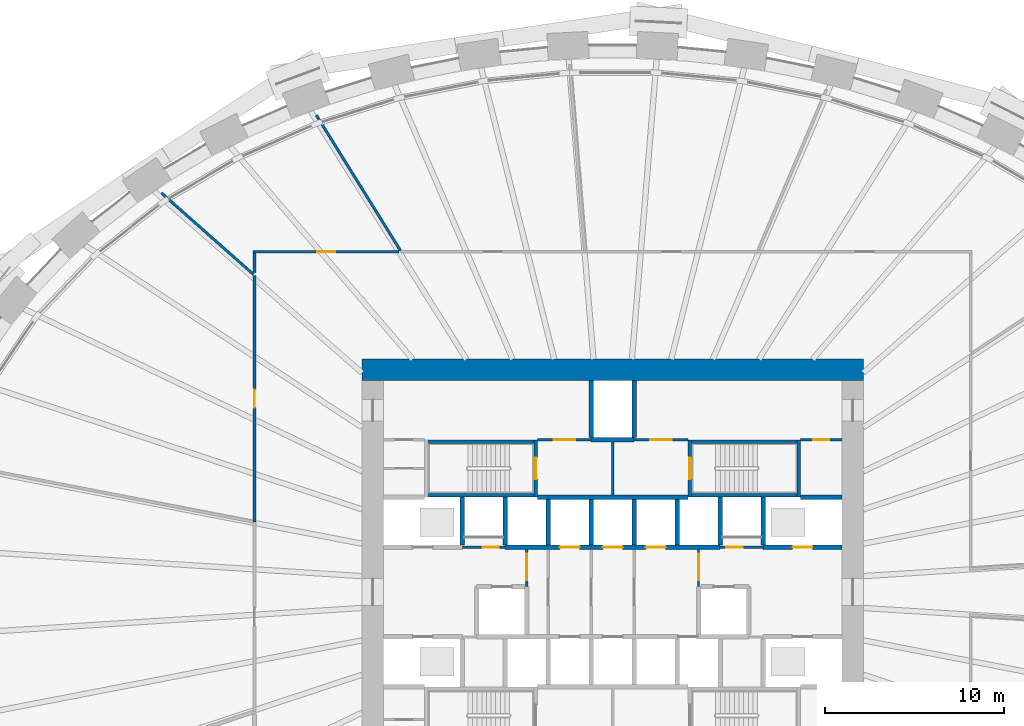
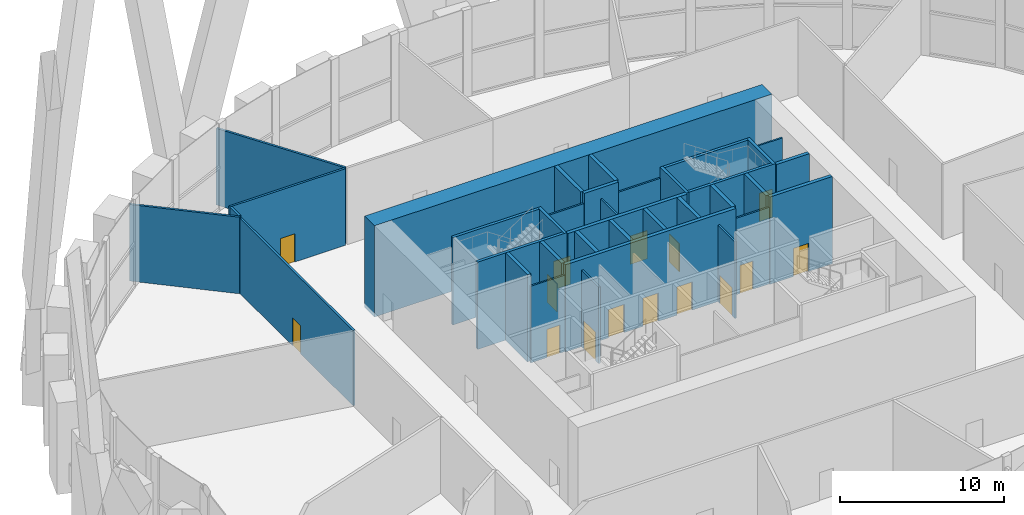
# One storey, part 11 of 17: 36 walls, 15 doors, 15 openings.
"""IFC4 building model written with IfcOpenShell, lengths in metres."""

from ifc_helpers import new_model, si_unit, direction, frame, frame_2d, origin, place, context, subcontext, project, spatial, rectangle, extrude, source, transform, mapped, material, layer, layer_set, type_object, element, fill, save


model = new_model("IFC4")

# Units and contexts
model_context = context("Model", 3, precision=1e-05, world=origin(), true_north=direction((0.0, 1.0)))
body_context = subcontext(model_context, "Body", "Model", "MODEL_VIEW")
ifc_project = project(units=[si_unit("LENGTHUNIT", "METRE"), si_unit("AREAUNIT", "SQUARE_METRE"), si_unit("VOLUMEUNIT", "CUBIC_METRE"), si_unit("PLANEANGLEUNIT", "RADIAN"), si_unit("MASSUNIT", "GRAM", prefix="KILO")], contexts=[model_context])

# Site, building, storey
site_placement = place(None, origin())
site = spatial("IfcSite", under=ifc_project, at=site_placement, CompositionType="ELEMENT")
building_placement = place(site_placement, origin())
building = spatial("IfcBuilding", under=site, at=building_placement, Name="Embergate Tower", CompositionType="ELEMENT")
storey_placement = place(building_placement, frame((0.0, 0.0, 125.0)))
storey = spatial("IfcBuildingStorey", under=building, at=storey_placement, Name="L27", CompositionType="ELEMENT", Elevation=125.0)

# Walls
ifc_material_1 = material(Name="Concrete C80", Category="concrete")
ifc_layer_1 = layer(ifc_material_1, 1.199951171875)
ifc_layer_set_1 = layer_set([ifc_layer_1], Name="Concrete C80")
wall_type_1 = type_object("IfcWallType", Name="Core outer wall C80 1200", PredefinedType="SHEAR", material=ifc_layer_set_1)
shared_shape_1 = source(origin(), body_context, "Body", "SweptSolid", [
    extrude(rectangle(XDim=28.0, YDim=1.199951171875, at=frame_2d((14.0, 0.0))), origin(), (0.0, 0.0, 1.0), 6.800048828125),
])
wall_1_placement = place(storey_placement, frame((-14.0, 12.39990234375, -0.300048828125), z_axis=(0.0, 0.0, 1.0), x_axis=(1.0, 0.0, 0.0)))
element("IfcWall", 1, at=wall_1_placement, inside=storey, type_object=wall_type_1, Name="CW-L27-N", PredefinedType="SHEAR", context=body_context, shape_type="MappedRepresentation", body=[
    mapped(shared_shape_1, transform((0.0, 0.0, 0.0))),
])
ifc_material_2 = material(Name="Concrete C50", Category="concrete")
ifc_layer_2 = layer(ifc_material_2, 0.25)
ifc_layer_set_2 = layer_set([ifc_layer_2], Name="Concrete C50")
wall_type_2 = type_object("IfcWallType", Name="Hoistway wall reinforced concrete 250", PredefinedType="SHEAR", material=ifc_layer_set_2)
shared_shape_2 = source(origin(), body_context, "Body", "SweptSolid", [
    extrude(rectangle(XDim=2.675048828125, YDim=0.25, at=frame_2d((1.33740234375, 0.0))), origin(), (0.0, 0.0, 1.0), 6.5),
])
for number, where, z_axis, x_axis, name in (
    (2, (-8.39990234375, 2.625, 0.0), (0.0, 0.0, 1.0), (0.0, 1.0, 0.0), "HW-1 wall"),
    (3, (-6.0, 2.625, 0.0), (0.0, 0.0, 1.0), (0.0, 1.0, 0.0), "HW-1 wall"),
    (4, (6.0, 2.625, 0.0), (0.0, 0.0, 1.0), (0.0, 1.0, 0.0), "HW-1 wall"),
    (5, (8.39990234375, 2.625, 0.0), (0.0, 0.0, 1.0), (0.0, 1.0, 0.0), "HW-1 wall"),
):
    element("IfcWall", number, at=place(storey_placement, frame(where, z_axis=z_axis, x_axis=x_axis)), inside=storey, type_object=wall_type_2, Name=name, PredefinedType="SHEAR", context=body_context, shape_type="MappedRepresentation", body=[
        mapped(shared_shape_2, transform((0.0, 0.0, 0.0))),
    ])

# Wall, opening, door
shared_shape_3 = source(origin(), body_context, "Body", "SweptSolid", [
    extrude(rectangle(XDim=4.400146484375, YDim=0.25, at=frame_2d((2.2001953125, 0.0))), origin(), (0.0, 0.0, 1.0), 6.5),
])
wall_2_placement = place(storey_placement, frame((8.39990234375, 2.5, 0.0), z_axis=(0.0, 0.0, 1.0), x_axis=(1.0, 0.0, 0.0)))
wall_2 = element("IfcWall", 6, at=wall_2_placement, inside=storey, type_object=wall_type_2, Name="HW-1 wall", PredefinedType="SHEAR", context=body_context, shape_type="MappedRepresentation", body=[
    mapped(shared_shape_3, transform((0.0, 0.0, 0.0))),
])
shared_shape_4 = source(origin(), body_context, "Body", "SweptSolid", [
    extrude(rectangle(XDim=1.10009765625, YDim=2.10009765625, at=frame_2d((0.550048828125, 1.050048828125))), frame((0.0, 0.135009765625, 0.0), z_axis=(0.0, -1.0, 0.0), x_axis=(1.0, 0.0, 0.0)), (0.0, 0.0, 1.0), 0.27001953125),
])
opening_1_placement = place(wall_2_placement, frame((1.64990234375, 0.0, 0.0)))
opening_1 = element("IfcOpeningElement", 7, at=opening_1_placement, cuts=wall_2, Name="Opening LD", PredefinedType="OPENING", context=body_context, shape_type="MappedRepresentation", body=[
    mapped(shared_shape_4, transform((0.0, 0.0, 0.0))),
])
ifc_material_3 = material(Name="Landing door sliding 1100")
door_type_1 = type_object("IfcDoorType", Name="Landing door sliding 1100", OperationType="SLIDING_TO_LEFT", PredefinedType="DOOR", material=ifc_material_3)
shared_shape_5 = source(origin(), body_context, "Body", "SweptSolid", [
    extrude(rectangle(XDim=1.10009765625, YDim=2.10009765625, at=frame_2d((0.550048828125, 1.050048828125))), frame((0.0, 0.02490234375, 0.0), z_axis=(0.0, -1.0, 0.0), x_axis=(1.0, 0.0, 0.0)), (0.0, 0.0, 1.0), 0.050048828125),
])
door_1_placement = place(opening_1_placement, origin())
door_1 = element("IfcDoor", 8, at=door_1_placement, inside=storey, type_object=door_type_1, Name="LD door", OperationType="SLIDING_TO_LEFT", OverallHeight=2.10009765625, OverallWidth=1.10009765625, PredefinedType="DOOR", context=body_context, shape_type="MappedRepresentation", body=[
    mapped(shared_shape_5, transform((0.0, 0.0, 0.0))),
])
fill(opening_1, door_1)

# Walls
ifc_layer_3 = layer(ifc_material_2, 0.199951171875)
ifc_layer_set_3 = layer_set([ifc_layer_3], Name="Concrete C50")
wall_type_3 = type_object("IfcWallType", Name="Stair enclosure wall reinforced concrete 250", PredefinedType="SHEAR", material=ifc_layer_set_3)
shared_shape_6 = source(origin(), body_context, "Body", "SweptSolid", [
    extrude(rectangle(XDim=6.300048828125, YDim=0.199951171875, at=frame_2d((3.14990234375, 0.0))), origin(), (0.0, 0.0, 1.0), 6.5),
])
for number, where, z_axis, x_axis, name in (
    (9, (-4.199951171875, 5.39990234375, 0.0), (0.0, 0.0, 1.0), (-1.0, 0.0, 0.0), "SE-1 wall"),
    (10, (10.5, 5.39990234375, 0.0), (0.0, 0.0, 1.0), (-1.0, 0.0, 0.0), "SE-1 wall"),
    (11, (-4.199951171875, 8.39990234375, 0.0), (0.0, 0.0, 1.0), (-1.0, 0.0, 0.0), "SE-1 wall"),
    (12, (10.5, 8.39990234375, 0.0), (0.0, 0.0, 1.0), (-1.0, 0.0, 0.0), "SE-1 wall"),
):
    element("IfcWall", number, at=place(storey_placement, frame(where, z_axis=z_axis, x_axis=x_axis)), inside=storey, type_object=wall_type_3, Name=name, PredefinedType="SHEAR", context=body_context, shape_type="MappedRepresentation", body=[
        mapped(shared_shape_6, transform((0.0, 0.0, 0.0))),
    ])
shared_shape_7 = source(origin(), body_context, "Body", "SweptSolid", [
    extrude(rectangle(XDim=2.300048828125, YDim=0.25, at=frame_2d((1.14990234375, 0.0))), origin(), (0.0, 0.0, 1.0), 6.5),
])
wall_3_placement = place(storey_placement, frame((12.800048828125, 5.300048828125, 0.0), z_axis=(0.0, 0.0, 1.0), x_axis=(-1.0, 0.0, 0.0)))
element("IfcWall", 13, at=wall_3_placement, inside=storey, type_object=wall_type_2, Name="HW-1 wall", PredefinedType="SHEAR", context=body_context, shape_type="MappedRepresentation", body=[
    mapped(shared_shape_7, transform((0.0, 0.0, 0.0))),
])

# Wall, opening, door
ifc_material_4 = material(Name="Core partition blockwork 120")
ifc_layer_4 = layer(ifc_material_4, 0.1201171875)
ifc_layer_set_4 = layer_set([ifc_layer_4], Name="Core partition blockwork 120")
wall_type_4 = type_object("IfcWallType", Name="Core partition blockwork 120", PredefinedType="PARTITIONING", material=ifc_layer_set_4)
shared_shape_8 = source(origin(), body_context, "Body", "SweptSolid", [
    extrude(rectangle(XDim=2.39990234375, YDim=0.1201171875, at=frame_2d((1.199951171875, 0.0))), origin(), (0.0, 0.0, 1.0), 5.699951171875),
])
wall_4_placement = place(storey_placement, frame((-8.39990234375, 2.5, 0.0), z_axis=(0.0, 0.0, 1.0), x_axis=(1.0, 0.0, 0.0)))
wall_4 = element("IfcWall", 14, at=wall_4_placement, inside=storey, type_object=wall_type_4, Name="IP-3 wall", PredefinedType="PARTITIONING", context=body_context, shape_type="MappedRepresentation", body=[
    mapped(shared_shape_8, transform((0.0, 0.0, 0.0))),
])
shared_shape_9 = source(origin(), body_context, "Body", "SweptSolid", [
    extrude(rectangle(XDim=0.89990234375, YDim=2.10009765625, at=frame_2d((0.449951171875, 1.050048828125))), frame((0.0, 0.070068359375, 0.0), z_axis=(0.0, -1.0, 0.0), x_axis=(1.0, 0.0, 0.0)), (0.0, 0.0, 1.0), 0.14013671875),
])
opening_2_placement = place(wall_4_placement, frame((1.14990234375, 0.0, 0.0)))
opening_2 = element("IfcOpeningElement", 15, at=opening_2_placement, cuts=wall_4, Name="Opening ID-1", PredefinedType="OPENING", context=body_context, shape_type="MappedRepresentation", body=[
    mapped(shared_shape_9, transform((0.0, 0.0, 0.0))),
])
ifc_material_5 = material(Name="Interior door 900")
door_type_2 = type_object("IfcDoorType", Name="Interior door 900", OperationType="SINGLE_SWING_LEFT", PredefinedType="DOOR", material=ifc_material_5)
shared_shape_10 = source(origin(), body_context, "Body", "SweptSolid", [
    extrude(rectangle(XDim=0.89990234375, YDim=2.10009765625, at=frame_2d((0.449951171875, 1.050048828125))), frame((0.0, 0.02490234375, 0.0), z_axis=(0.0, -1.0, 0.0), x_axis=(1.0, 0.0, 0.0)), (0.0, 0.0, 1.0), 0.050048828125),
])
door_2_placement = place(opening_2_placement, origin())
door_2 = element("IfcDoor", 16, at=door_2_placement, inside=storey, type_object=door_type_2, Name="ID-1 door", OperationType="SINGLE_SWING_RIGHT", OverallHeight=2.10009765625, OverallWidth=0.89990234375, PredefinedType="DOOR", context=body_context, shape_type="MappedRepresentation", body=[
    mapped(shared_shape_10, transform((0.0, 0.0, 0.0))),
])
fill(opening_2, door_2)

wall_5_placement = place(storey_placement, frame((6.0, 2.5, 0.0), z_axis=(0.0, 0.0, 1.0), x_axis=(1.0, 0.0, 0.0)))
wall_5 = element("IfcWall", 17, at=wall_5_placement, inside=storey, type_object=wall_type_4, Name="IP-3 wall", PredefinedType="PARTITIONING", context=body_context, shape_type="MappedRepresentation", body=[
    mapped(shared_shape_8, transform((0.0, 0.0, 0.0))),
])
opening_3_placement = place(wall_5_placement, frame((0.35009765625, 0.0, 0.0)))
opening_3 = element("IfcOpeningElement", 18, at=opening_3_placement, cuts=wall_5, Name="Opening ID-1", PredefinedType="OPENING", context=body_context, shape_type="MappedRepresentation", body=[
    mapped(shared_shape_9, transform((0.0, 0.0, 0.0))),
])
door_3_placement = place(opening_3_placement, origin())
door_3 = element("IfcDoor", 19, at=door_3_placement, inside=storey, type_object=door_type_2, Name="ID-1 door", OperationType="SINGLE_SWING_RIGHT", OverallHeight=2.10009765625, OverallWidth=0.89990234375, PredefinedType="DOOR", context=body_context, shape_type="MappedRepresentation", body=[
    mapped(shared_shape_10, transform((0.0, 0.0, 0.0))),
])
fill(opening_3, door_3)

# Walls
shared_shape_11 = source(origin(), body_context, "Body", "SweptSolid", [
    extrude(rectangle(XDim=2.550048828125, YDim=0.25, at=frame_2d((1.27490234375, 0.0))), origin(), (0.0, 0.0, 1.0), 6.5),
])
for number, where, z_axis, x_axis, name in (
    (20, (-3.60009765625, 2.625, 0.0), (0.0, 0.0, 1.0), (0.0, 1.0, 0.0), "HW-1 wall"),
    (21, (-1.199951171875, 2.625, 0.0), (0.0, 0.0, 1.0), (0.0, 1.0, 0.0), "HW-1 wall"),
    (22, (1.199951171875, 2.625, 0.0), (0.0, 0.0, 1.0), (0.0, 1.0, 0.0), "HW-1 wall"),
    (23, (3.60009765625, 2.625, 0.0), (0.0, 0.0, 1.0), (0.0, 1.0, 0.0), "HW-1 wall"),
):
    element("IfcWall", number, at=place(storey_placement, frame(where, z_axis=z_axis, x_axis=x_axis)), inside=storey, type_object=wall_type_2, Name=name, PredefinedType="SHEAR", context=body_context, shape_type="MappedRepresentation", body=[
        mapped(shared_shape_11, transform((0.0, 0.0, 0.0))),
    ])

# Wall, openings, doors
shared_shape_12 = source(origin(), body_context, "Body", "SweptSolid", [
    extrude(rectangle(XDim=12.0, YDim=0.25, at=frame_2d((6.0, 0.0))), origin(), (0.0, 0.0, 1.0), 6.5),
])
wall_6_placement = place(storey_placement, frame((-6.0, 2.5, 0.0), z_axis=(0.0, 0.0, 1.0), x_axis=(1.0, 0.0, 0.0)))
wall_6 = element("IfcWall", 24, at=wall_6_placement, inside=storey, type_object=wall_type_2, Name="HW-1 wall", PredefinedType="SHEAR", context=body_context, shape_type="MappedRepresentation", body=[
    mapped(shared_shape_12, transform((0.0, 0.0, 0.0))),
])
opening_4_placement = place(wall_6_placement, frame((3.050048828125, 0.0, 0.0)))
opening_4 = element("IfcOpeningElement", 25, at=opening_4_placement, cuts=wall_6, Name="Opening LD", PredefinedType="OPENING", context=body_context, shape_type="MappedRepresentation", body=[
    mapped(shared_shape_4, transform((0.0, 0.0, 0.0))),
])
opening_5_placement = place(wall_6_placement, frame((5.449951171875, 0.0, 0.0)))
opening_5 = element("IfcOpeningElement", 26, at=opening_5_placement, cuts=wall_6, Name="Opening LD", PredefinedType="OPENING", context=body_context, shape_type="MappedRepresentation", body=[
    mapped(shared_shape_4, transform((0.0, 0.0, 0.0))),
])
opening_6_placement = place(wall_6_placement, frame((7.85009765625, 0.0, 0.0)))
opening_6 = element("IfcOpeningElement", 27, at=opening_6_placement, cuts=wall_6, Name="Opening LD", PredefinedType="OPENING", context=body_context, shape_type="MappedRepresentation", body=[
    mapped(shared_shape_4, transform((0.0, 0.0, 0.0))),
])
door_4_placement = place(opening_4_placement, origin())
door_4 = element("IfcDoor", 28, at=door_4_placement, inside=storey, type_object=door_type_1, Name="LD door", OperationType="SLIDING_TO_RIGHT", OverallHeight=2.10009765625, OverallWidth=1.10009765625, PredefinedType="DOOR", context=body_context, shape_type="MappedRepresentation", body=[
    mapped(shared_shape_5, transform((0.0, 0.0, 0.0))),
])
fill(opening_4, door_4)
door_5_placement = place(opening_5_placement, origin())
door_5 = element("IfcDoor", 29, at=door_5_placement, inside=storey, type_object=door_type_1, Name="LD door", OperationType="SLIDING_TO_RIGHT", OverallHeight=2.10009765625, OverallWidth=1.10009765625, PredefinedType="DOOR", context=body_context, shape_type="MappedRepresentation", body=[
    mapped(shared_shape_5, transform((0.0, 0.0, 0.0))),
])
fill(opening_5, door_5)
door_6_placement = place(opening_6_placement, origin())
door_6 = element("IfcDoor", 30, at=door_6_placement, inside=storey, type_object=door_type_1, Name="LD door", OperationType="SLIDING_TO_LEFT", OverallHeight=2.10009765625, OverallWidth=1.10009765625, PredefinedType="DOOR", context=body_context, shape_type="MappedRepresentation", body=[
    mapped(shared_shape_5, transform((0.0, 0.0, 0.0))),
])
fill(opening_6, door_6)

# Wall
shared_shape_13 = source(origin(), body_context, "Body", "SweptSolid", [
    extrude(rectangle(XDim=8.39990234375, YDim=0.25, at=frame_2d((4.199951171875, 0.0))), origin(), (0.0, 0.0, 1.0), 6.5),
])
wall_7_placement = place(storey_placement, frame((4.199951171875, 5.300048828125, 0.0), z_axis=(0.0, 0.0, 1.0), x_axis=(-1.0, 0.0, 0.0)))
element("IfcWall", 31, at=wall_7_placement, inside=storey, type_object=wall_type_2, Name="HW-1 wall", PredefinedType="SHEAR", context=body_context, shape_type="MappedRepresentation", body=[
    mapped(shared_shape_13, transform((0.0, 0.0, 0.0))),
])

# Wall, opening, door
shared_shape_14 = source(origin(), body_context, "Body", "SweptSolid", [
    extrude(rectangle(XDim=2.074951171875, YDim=0.1201171875, at=frame_2d((1.03759765625, 0.0))), origin(), (0.0, 0.0, 1.0), 5.699951171875),
])
wall_8_placement = place(storey_placement, frame((-4.800048828125, 2.375, 0.0), z_axis=(0.0, 0.0, 1.0), x_axis=(0.0, -1.0, 0.0)))
wall_8 = element("IfcWall", 32, at=wall_8_placement, inside=storey, type_object=wall_type_4, Name="IP-3 wall", PredefinedType="PARTITIONING", context=body_context, shape_type="MappedRepresentation", body=[
    mapped(shared_shape_14, transform((0.0, 0.0, 0.0))),
])
shared_shape_15 = source(origin(), body_context, "Body", "SweptSolid", [
    extrude(rectangle(XDim=1.5, YDim=2.10009765625, at=frame_2d((0.75, 1.050048828125))), frame((0.0, 0.070068359375, 0.0), z_axis=(0.0, -1.0, 0.0), x_axis=(1.0, 0.0, 0.0)), (0.0, 0.0, 1.0), 0.14013671875),
])
opening_7_placement = place(wall_8_placement, frame((0.22509765625, 0.0, 0.0)))
opening_7 = element("IfcOpeningElement", 33, at=opening_7_placement, cuts=wall_8, Name="Opening IF-3", PredefinedType="OPENING", context=body_context, shape_type="MappedRepresentation", body=[
    mapped(shared_shape_15, transform((0.0, 0.0, 0.0))),
])
ifc_material_6 = material(Name="Lobby fire door pair 1500")
door_type_3 = type_object("IfcDoorType", Name="Lobby fire door pair 1500", OperationType="DOUBLE_DOOR_SINGLE_SWING", PredefinedType="DOOR", material=ifc_material_6)
shared_shape_16 = source(origin(), body_context, "Body", "SweptSolid", [
    extrude(rectangle(XDim=1.5, YDim=2.10009765625, at=frame_2d((0.75, 1.050048828125))), frame((0.0, 0.02490234375, 0.0), z_axis=(0.0, -1.0, 0.0), x_axis=(1.0, 0.0, 0.0)), (0.0, 0.0, 1.0), 0.050048828125),
])
door_7_placement = place(opening_7_placement, origin())
door_7 = element("IfcDoor", 34, at=door_7_placement, inside=storey, type_object=door_type_3, Name="IF-3 door", OperationType="DOUBLE_DOOR_SINGLE_SWING", OverallHeight=2.10009765625, OverallWidth=1.5, PredefinedType="DOOR", context=body_context, shape_type="MappedRepresentation", body=[
    mapped(shared_shape_16, transform((0.0, 0.0, 0.0))),
])
fill(opening_7, door_7)

wall_9_placement = place(storey_placement, frame((4.800048828125, 0.300048828125, 0.0), z_axis=(0.0, 0.0, 1.0), x_axis=(0.0, 1.0, 0.0)))
wall_9 = element("IfcWall", 35, at=wall_9_placement, inside=storey, type_object=wall_type_4, Name="IP-3 wall", PredefinedType="PARTITIONING", context=body_context, shape_type="MappedRepresentation", body=[
    mapped(shared_shape_14, transform((0.0, 0.0, 0.0))),
])
opening_8_placement = place(wall_9_placement, frame((0.35009765625, 0.0, 0.0)))
opening_8 = element("IfcOpeningElement", 36, at=opening_8_placement, cuts=wall_9, Name="Opening IF-3", PredefinedType="OPENING", context=body_context, shape_type="MappedRepresentation", body=[
    mapped(shared_shape_15, transform((0.0, 0.0, 0.0))),
])
door_8_placement = place(opening_8_placement, origin())
door_8 = element("IfcDoor", 37, at=door_8_placement, inside=storey, type_object=door_type_3, Name="IF-3 door", OperationType="DOUBLE_DOOR_SINGLE_SWING", OverallHeight=2.10009765625, OverallWidth=1.5, PredefinedType="DOOR", context=body_context, shape_type="MappedRepresentation", body=[
    mapped(shared_shape_16, transform((0.0, 0.0, 0.0))),
])
fill(opening_8, door_8)

shared_shape_17 = source(origin(), body_context, "Body", "SweptSolid", [
    extrude(rectangle(XDim=3.199951171875, YDim=0.199951171875, at=frame_2d((1.60009765625, 0.0))), origin(), (0.0, 0.0, 1.0), 6.5),
])
wall_10_placement = place(storey_placement, frame((-4.300048828125, 5.300048828125, 0.0), z_axis=(0.0, 0.0, 1.0), x_axis=(0.0, 1.0, 0.0)))
wall_10 = element("IfcWall", 38, at=wall_10_placement, inside=storey, type_object=wall_type_3, Name="SE-1 wall", PredefinedType="SHEAR", context=body_context, shape_type="MappedRepresentation", body=[
    mapped(shared_shape_17, transform((0.0, 0.0, 0.0))),
])
shared_shape_18 = source(origin(), body_context, "Body", "SweptSolid", [
    extrude(rectangle(XDim=1.199951171875, YDim=2.10009765625, at=frame_2d((0.60009765625, 1.050048828125))), frame((0.0, 0.10986328125, 0.0), z_axis=(0.0, -1.0, 0.0), x_axis=(1.0, 0.0, 0.0)), (0.0, 0.0, 1.0), 0.219970703125),
])
opening_9_placement = place(wall_10_placement, frame((1.0, 0.0, 0.0)))
opening_9 = element("IfcOpeningElement", 39, at=opening_9_placement, cuts=wall_10, Name="Opening IF-2", PredefinedType="OPENING", context=body_context, shape_type="MappedRepresentation", body=[
    mapped(shared_shape_18, transform((0.0, 0.0, 0.0))),
])
ifc_material_7 = material(Name="Stair enclosure door 1200")
door_type_4 = type_object("IfcDoorType", Name="Stair enclosure door 1200", OperationType="SINGLE_SWING_LEFT", PredefinedType="DOOR", material=ifc_material_7)
shared_shape_19 = source(origin(), body_context, "Body", "SweptSolid", [
    extrude(rectangle(XDim=1.199951171875, YDim=2.10009765625, at=frame_2d((0.60009765625, 1.050048828125))), frame((0.0, 0.02490234375, 0.0), z_axis=(0.0, -1.0, 0.0), x_axis=(1.0, 0.0, 0.0)), (0.0, 0.0, 1.0), 0.050048828125),
])
door_9_placement = place(opening_9_placement, origin())
door_9 = element("IfcDoor", 40, at=door_9_placement, inside=storey, type_object=door_type_4, Name="IF-2 door", OperationType="SINGLE_SWING_LEFT", OverallHeight=2.10009765625, OverallWidth=1.199951171875, PredefinedType="DOOR", context=body_context, shape_type="MappedRepresentation", body=[
    mapped(shared_shape_19, transform((0.0, 0.0, 0.0))),
])
fill(opening_9, door_9)

wall_11_placement = place(storey_placement, frame((4.300048828125, 8.5, 0.0), z_axis=(0.0, 0.0, 1.0), x_axis=(0.0, -1.0, 0.0)))
wall_11 = element("IfcWall", 41, at=wall_11_placement, inside=storey, type_object=wall_type_3, Name="SE-1 wall", PredefinedType="SHEAR", context=body_context, shape_type="MappedRepresentation", body=[
    mapped(shared_shape_17, transform((0.0, 0.0, 0.0))),
])
opening_10_placement = place(wall_11_placement, frame((1.0, 0.0, 0.0)))
opening_10 = element("IfcOpeningElement", 42, at=opening_10_placement, cuts=wall_11, Name="Opening IF-2", PredefinedType="OPENING", context=body_context, shape_type="MappedRepresentation", body=[
    mapped(shared_shape_18, transform((0.0, 0.0, 0.0))),
])
door_10_placement = place(opening_10_placement, origin())
door_10 = element("IfcDoor", 43, at=door_10_placement, inside=storey, type_object=door_type_4, Name="IF-2 door", OperationType="SINGLE_SWING_LEFT", OverallHeight=2.10009765625, OverallWidth=1.199951171875, PredefinedType="DOOR", context=body_context, shape_type="MappedRepresentation", body=[
    mapped(shared_shape_19, transform((0.0, 0.0, 0.0))),
])
fill(opening_10, door_10)

# Walls
wall_12_placement = place(storey_placement, frame((10.39990234375, 5.300048828125, 0.0), z_axis=(0.0, 0.0, 1.0), x_axis=(0.0, 1.0, 0.0)))
element("IfcWall", 44, at=wall_12_placement, inside=storey, type_object=wall_type_3, Name="SE-1 wall", PredefinedType="SHEAR", context=body_context, shape_type="MappedRepresentation", body=[
    mapped(shared_shape_17, transform((0.0, 0.0, 0.0))),
])
shared_shape_20 = source(origin(), body_context, "Body", "SweptSolid", [
    extrude(rectangle(XDim=2.949951171875, YDim=0.1201171875, at=frame_2d((1.47509765625, 0.0))), origin(), (0.0, 0.0, 1.0), 5.699951171875),
])
wall_13_placement = place(storey_placement, frame((0.0, 5.425048828125, 0.0), z_axis=(0.0, 0.0, 1.0), x_axis=(0.0, 1.0, 0.0)))
element("IfcWall", 45, at=wall_13_placement, inside=storey, type_object=wall_type_4, Name="IP-3 wall", PredefinedType="PARTITIONING", context=body_context, shape_type="MappedRepresentation", body=[
    mapped(shared_shape_20, transform((0.0, 0.0, 0.0))),
])

# Wall, opening, door
shared_shape_21 = source(origin(), body_context, "Body", "SweptSolid", [
    extrude(rectangle(XDim=3.0, YDim=0.1201171875, at=frame_2d((1.5, 0.0))), origin(), (0.0, 0.0, 1.0), 5.699951171875),
])
wall_14_placement = place(storey_placement, frame((-1.199951171875, 8.5, 0.0), z_axis=(0.0, 0.0, 1.0), x_axis=(-1.0, 0.0, 0.0)))
wall_14 = element("IfcWall", 46, at=wall_14_placement, inside=storey, type_object=wall_type_4, Name="IP-3 wall", PredefinedType="PARTITIONING", context=body_context, shape_type="MappedRepresentation", body=[
    mapped(shared_shape_21, transform((0.0, 0.0, 0.0))),
])
shared_shape_22 = source(origin(), body_context, "Body", "SweptSolid", [
    extrude(rectangle(XDim=1.199951171875, YDim=2.10009765625, at=frame_2d((0.60009765625, 1.050048828125))), frame((0.0, 0.070068359375, 0.0), z_axis=(0.0, -1.0, 0.0), x_axis=(1.0, 0.0, 0.0)), (0.0, 0.0, 1.0), 0.14013671875),
])
opening_11_placement = place(wall_14_placement, frame((0.89990234375, 0.0, 0.0)))
opening_11 = element("IfcOpeningElement", 47, at=opening_11_placement, cuts=wall_14, Name="Opening IF-3f", PredefinedType="OPENING", context=body_context, shape_type="MappedRepresentation", body=[
    mapped(shared_shape_22, transform((0.0, 0.0, 0.0))),
])
ifc_material_8 = material(Name="Lobby fire door pair 1200")
door_type_5 = type_object("IfcDoorType", Name="Lobby fire door pair 1200", OperationType="DOUBLE_DOOR_SINGLE_SWING", PredefinedType="DOOR", material=ifc_material_8)
door_11_placement = place(opening_11_placement, origin())
door_11 = element("IfcDoor", 48, at=door_11_placement, inside=storey, type_object=door_type_5, Name="IF-3 door", OperationType="DOUBLE_DOOR_SINGLE_SWING", OverallHeight=2.10009765625, OverallWidth=1.199951171875, PredefinedType="DOOR", context=body_context, shape_type="MappedRepresentation", body=[
    mapped(shared_shape_19, transform((0.0, 0.0, 0.0))),
])
fill(opening_11, door_11)

wall_15_placement = place(storey_placement, frame((4.199951171875, 8.5, 0.0), z_axis=(0.0, 0.0, 1.0), x_axis=(-1.0, 0.0, 0.0)))
wall_15 = element("IfcWall", 49, at=wall_15_placement, inside=storey, type_object=wall_type_4, Name="IP-3 wall", PredefinedType="PARTITIONING", context=body_context, shape_type="MappedRepresentation", body=[
    mapped(shared_shape_21, transform((0.0, 0.0, 0.0))),
])
opening_12_placement = place(wall_15_placement, frame((0.89990234375, 0.0, 0.0)))
opening_12 = element("IfcOpeningElement", 50, at=opening_12_placement, cuts=wall_15, Name="Opening IF-3f", PredefinedType="OPENING", context=body_context, shape_type="MappedRepresentation", body=[
    mapped(shared_shape_22, transform((0.0, 0.0, 0.0))),
])
door_12_placement = place(opening_12_placement, origin())
door_12 = element("IfcDoor", 51, at=door_12_placement, inside=storey, type_object=door_type_5, Name="IF-3 door", OperationType="DOUBLE_DOOR_SINGLE_SWING", OverallHeight=2.10009765625, OverallWidth=1.199951171875, PredefinedType="DOOR", context=body_context, shape_type="MappedRepresentation", body=[
    mapped(shared_shape_19, transform((0.0, 0.0, 0.0))),
])
fill(opening_12, door_12)

# Walls
shared_shape_23 = source(origin(), body_context, "Body", "SweptSolid", [
    extrude(rectangle(XDim=2.39990234375, YDim=0.25, at=frame_2d((1.199951171875, 0.0))), origin(), (0.0, 0.0, 1.0), 6.5),
])
wall_16_placement = place(storey_placement, frame((1.199951171875, 8.5, 0.0), z_axis=(0.0, 0.0, 1.0), x_axis=(-1.0, 0.0, 0.0)))
element("IfcWall", 52, at=wall_16_placement, inside=storey, type_object=wall_type_2, Name="HW-1 wall", PredefinedType="SHEAR", context=body_context, shape_type="MappedRepresentation", body=[
    mapped(shared_shape_23, transform((0.0, 0.0, 0.0))),
])
shared_shape_24 = source(origin(), body_context, "Body", "SweptSolid", [
    extrude(rectangle(XDim=3.175048828125, YDim=0.25, at=frame_2d((1.58740234375, 0.0))), origin(), (0.0, 0.0, 1.0), 6.5),
])
for number, where, z_axis, x_axis, name in (
    (53, (-1.199951171875, 8.625, 0.0), (0.0, 0.0, 1.0), (0.0, 1.0, 0.0), "HW-1 wall"),
    (54, (1.199951171875, 11.800048828125, 0.0), (0.0, 0.0, 1.0), (0.0, -1.0, 0.0), "HW-1 wall"),
):
    element("IfcWall", number, at=place(storey_placement, frame(where, z_axis=z_axis, x_axis=x_axis)), inside=storey, type_object=wall_type_2, Name=name, PredefinedType="SHEAR", context=body_context, shape_type="MappedRepresentation", body=[
        mapped(shared_shape_24, transform((0.0, 0.0, 0.0))),
    ])

# Wall, opening, door
shared_shape_25 = source(origin(), body_context, "Body", "SweptSolid", [
    extrude(rectangle(XDim=2.300048828125, YDim=0.1201171875, at=frame_2d((1.14990234375, 0.0))), origin(), (0.0, 0.0, 1.0), 5.699951171875),
])
wall_17_placement = place(storey_placement, frame((10.5, 8.5, 0.0), z_axis=(0.0, 0.0, 1.0), x_axis=(1.0, 0.0, 0.0)))
wall_17 = element("IfcWall", 55, at=wall_17_placement, inside=storey, type_object=wall_type_4, Name="IP-3 wall", PredefinedType="PARTITIONING", context=body_context, shape_type="MappedRepresentation", body=[
    mapped(shared_shape_25, transform((0.0, 0.0, 0.0))),
])
opening_13_placement = place(wall_17_placement, frame((0.699951171875, 0.0, 0.0)))
opening_13 = element("IfcOpeningElement", 56, at=opening_13_placement, cuts=wall_17, Name="Opening ID-1", PredefinedType="OPENING", context=body_context, shape_type="MappedRepresentation", body=[
    mapped(shared_shape_9, transform((0.0, 0.0, 0.0))),
])
door_13_placement = place(opening_13_placement, origin())
door_13 = element("IfcDoor", 57, at=door_13_placement, inside=storey, type_object=door_type_2, Name="ID-1 door", OperationType="SINGLE_SWING_LEFT", OverallHeight=2.10009765625, OverallWidth=0.89990234375, PredefinedType="DOOR", context=body_context, shape_type="MappedRepresentation", body=[
    mapped(shared_shape_10, transform((0.0, 0.0, 0.0))),
])
fill(opening_13, door_13)

ifc_material_9 = material(Name="Plasterboard on steel stud", Category="steel")
ifc_layer_5 = layer(ifc_material_9, 0.14990234375)
ifc_layer_set_5 = layer_set([ifc_layer_5], Name="Plasterboard on steel stud")
wall_type_5 = type_object("IfcWallType", Name="Partition wall 150 board", PredefinedType="PARTITIONING", material=ifc_layer_set_5)
shared_shape_26 = source(origin(), body_context, "Body", "SweptSolid", [
    extrude(rectangle(XDim=13.778076171875, YDim=0.14990234375, at=frame_2d((6.88916015625, 0.0))), origin(), (0.0, 0.0, 1.0), 5.60009765625),
])
wall_18_placement = place(storey_placement, frame((-20.0, 3.906982421875, 0.0), z_axis=(0.0, 0.0, 1.0), x_axis=(0.0, 1.0, 0.0)))
wall_18 = element("IfcWall", 58, at=wall_18_placement, inside=storey, type_object=wall_type_5, Name="Partition 011", PredefinedType="PARTITIONING", context=body_context, shape_type="MappedRepresentation", body=[
    mapped(shared_shape_26, transform((0.0, 0.0, 0.0))),
])
shared_shape_27 = source(origin(), body_context, "Body", "SweptSolid", [
    extrude(rectangle(XDim=1.0, YDim=2.10009765625, at=frame_2d((0.5, 1.050048828125))), frame((0.0, 0.0849609375, 0.0), z_axis=(0.0, -1.0, 0.0), x_axis=(1.0, 0.0, 0.0)), (0.0, 0.0, 1.0), 0.169921875),
])
opening_14_placement = place(wall_18_placement, frame((6.388916015625, 0.0, 0.0)))
opening_14 = element("IfcOpeningElement", 59, at=opening_14_placement, cuts=wall_18, Name="Opening DS-109", PredefinedType="OPENING", context=body_context, shape_type="MappedRepresentation", body=[
    mapped(shared_shape_27, transform((0.0, 0.0, 0.0))),
])
ifc_material_10 = material(Name="Timber door leaf, steel frame", Category="steel")
door_type_6 = type_object("IfcDoorType", Name="Single door 1000x2100", OperationType="SINGLE_SWING_LEFT", PredefinedType="DOOR", material=ifc_material_10)
shared_shape_28 = source(origin(), body_context, "Body", "SweptSolid", [
    extrude(rectangle(XDim=1.0, YDim=2.10009765625, at=frame_2d((0.5, 1.050048828125))), frame((0.0, 0.02490234375, 0.0), z_axis=(0.0, -1.0, 0.0), x_axis=(1.0, 0.0, 0.0)), (0.0, 0.0, 1.0), 0.050048828125),
])
door_14_placement = place(opening_14_placement, origin())
door_14 = element("IfcDoor", 60, at=door_14_placement, inside=storey, type_object=door_type_6, Name="Door to Staff room", OperationType="SINGLE_SWING_LEFT", OverallHeight=2.10009765625, OverallWidth=1.0, PredefinedType="DOOR", context=body_context, shape_type="MappedRepresentation", body=[
    mapped(shared_shape_28, transform((0.0, 0.0, 0.0))),
])
fill(opening_14, door_14)

# Walls
shared_shape_29 = source(origin(), body_context, "Body", "SweptSolid", [
    extrude(rectangle(XDim=6.85986328125, YDim=0.14990234375, at=frame_2d((3.429931640625, 0.0))), origin(), (0.0, 0.0, 1.0), 5.699951171875),
])
wall_19_placement = place(storey_placement, frame((-20.055908203125, 17.735107421875, 0.0), z_axis=(0.0, 0.0, 1.0), x_axis=(-0.749158213823, 0.662391100983, 0.0)))
element("IfcWall", 61, at=wall_19_placement, inside=storey, type_object=wall_type_5, Name="Partition 012", PredefinedType="PARTITIONING", context=body_context, shape_type="MappedRepresentation", body=[
    mapped(shared_shape_29, transform((0.0, 0.0, 0.0))),
])
shared_shape_30 = source(origin(), body_context, "Body", "SweptSolid", [
    extrude(rectangle(XDim=1.090087890625, YDim=0.14990234375, at=frame_2d((0.544921875, 0.0))), origin(), (0.0, 0.0, 1.0), 5.699951171875),
])
wall_20_placement = place(storey_placement, frame((-20.0, 17.8349609375, 0.0), z_axis=(0.0, 0.0, 1.0), x_axis=(0.0, 1.0, 0.0)))
element("IfcWall", 62, at=wall_20_placement, inside=storey, type_object=wall_type_5, Name="Partition 013", PredefinedType="PARTITIONING", context=body_context, shape_type="MappedRepresentation", body=[
    mapped(shared_shape_30, transform((0.0, 0.0, 0.0))),
])

# Wall, opening, door
shared_shape_31 = source(origin(), body_context, "Body", "SweptSolid", [
    extrude(rectangle(XDim=8.14599609375, YDim=0.14990234375, at=frame_2d((4.072998046875, 0.0))), origin(), (0.0, 0.0, 1.0), 5.699951171875),
])
wall_21_placement = place(storey_placement, frame((-20.074951171875, 19.0, 0.0), z_axis=(0.0, 0.0, 1.0), x_axis=(1.0, 0.0, 0.0)))
wall_21 = element("IfcWall", 63, at=wall_21_placement, inside=storey, type_object=wall_type_5, Name="Partition 014", PredefinedType="PARTITIONING", context=body_context, shape_type="MappedRepresentation", body=[
    mapped(shared_shape_31, transform((0.0, 0.0, 0.0))),
])
opening_15_placement = place(wall_21_placement, frame((3.572998046875, 0.0, 0.0)))
opening_15 = element("IfcOpeningElement", 64, at=opening_15_placement, cuts=wall_21, Name="Opening DS-108", PredefinedType="OPENING", context=body_context, shape_type="MappedRepresentation", body=[
    mapped(shared_shape_27, transform((0.0, 0.0, 0.0))),
])
door_15_placement = place(opening_15_placement, origin())
door_15 = element("IfcDoor", 65, at=door_15_placement, inside=storey, type_object=door_type_6, Name="Door to Staff room", OperationType="SINGLE_SWING_LEFT", OverallHeight=2.10009765625, OverallWidth=1.0, PredefinedType="DOOR", context=body_context, shape_type="MappedRepresentation", body=[
    mapped(shared_shape_28, transform((0.0, 0.0, 0.0))),
])
fill(opening_15, door_15)

# Wall
shared_shape_32 = source(origin(), body_context, "Body", "SweptSolid", [
    extrude(rectangle(XDim=8.9052734375, YDim=0.14990234375, at=frame_2d((4.45263671875, 0.0))), origin(), (0.0, 0.0, 1.0), 5.699951171875),
])
wall_22_placement = place(storey_placement, frame((-11.84912109375, 19.06396484375, 0.0), z_axis=(0.0, 0.0, 1.0), x_axis=(-0.527774313663, 0.849384644221, 0.0)))
element("IfcWall", 66, at=wall_22_placement, inside=storey, type_object=wall_type_5, Name="Partition 015", PredefinedType="PARTITIONING", context=body_context, shape_type="MappedRepresentation", body=[
    mapped(shared_shape_32, transform((0.0, 0.0, 0.0))),
])

save(model, "model.ifc")
